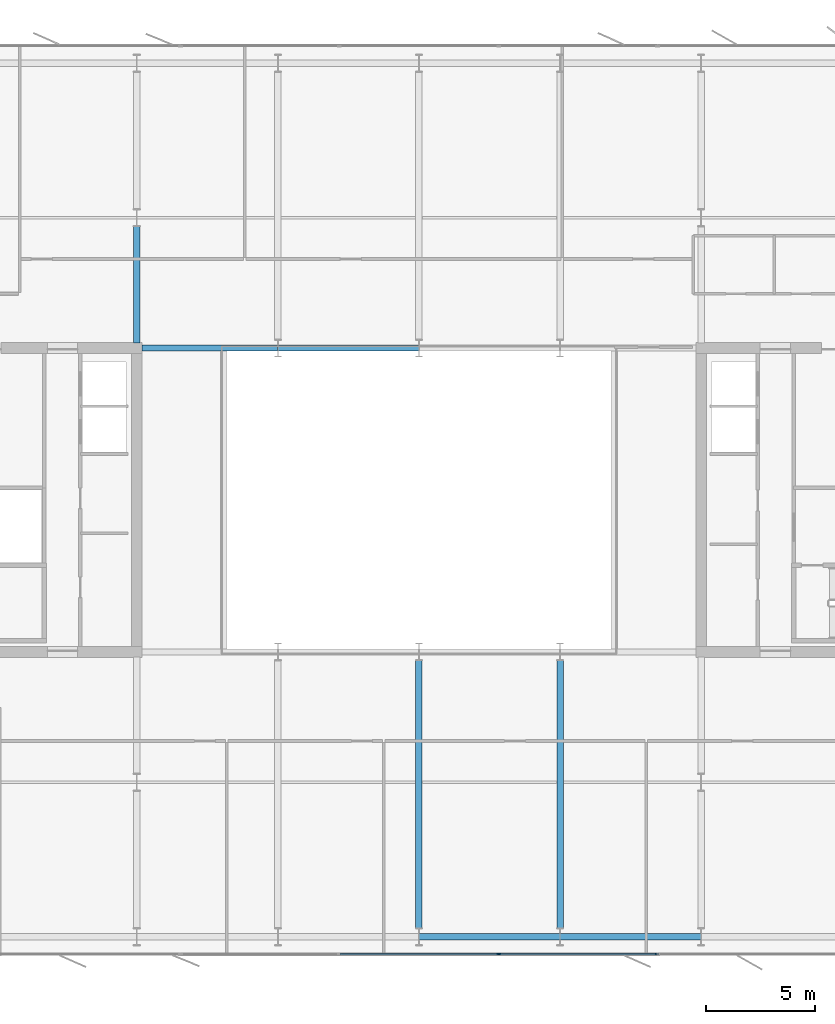
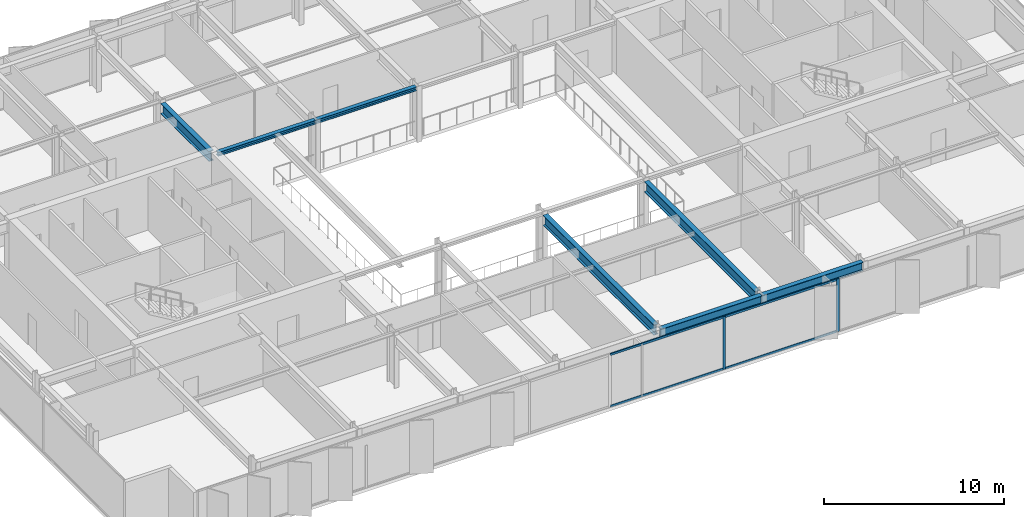
# One storey, part 6 of 23: 7 beams, 6 members, 1 element without a shape of its own.
"""IFC4 building model written with IfcOpenShell, lengths in metres."""

from ifc_helpers import new_model, si_unit, direction, frame, origin, origin_2d, place, context, subcontext, project, spatial, rectangle, i_section, extrude, material, layer, layer_set, material_profile, profile_set, type_object, element, aggregate, save


model = new_model("IFC4")

# Units and contexts
model_context = context("Model", 3, precision=1e-05, world=origin(), true_north=direction((0.0, 1.0)))
body_context = subcontext(model_context, "Body", "Model", "MODEL_VIEW")
ifc_project = project(units=[si_unit("LENGTHUNIT", "METRE"), si_unit("AREAUNIT", "SQUARE_METRE"), si_unit("VOLUMEUNIT", "CUBIC_METRE"), si_unit("PLANEANGLEUNIT", "RADIAN"), si_unit("MASSUNIT", "GRAM", prefix="KILO")], contexts=[model_context])

# Site, building, storey
site_placement = place(None, origin())
site = spatial("IfcSite", under=ifc_project, at=site_placement, CompositionType="ELEMENT")
building_placement = place(site_placement, origin())
building = spatial("IfcBuilding", under=site, at=building_placement, Name="Putna Gate Headquarters", CompositionType="ELEMENT")
storey_placement = place(building_placement, frame((0.0, 0.0, 206.199951171875)))
storey = spatial("IfcBuildingStorey", under=building, at=storey_placement, Name="L51", CompositionType="ELEMENT", Elevation=206.199951171875)

# Beams
ifc_material_1 = material(Name="Steel S355J2", Category="steel")
ifc_material_profile_1 = material_profile(ifc_material_1, i_section(OverallWidth=0.260009765625, OverallDepth=0.260009765625, WebThickness=0.010009765625, FlangeThickness=0.017578125, at=origin_2d()), Name="Steel S355J2")
ifc_profile_set_1 = profile_set([ifc_material_profile_1], Name="Steel S355J2")
beam_type_1 = type_object("IfcBeamType", Name="BM-ATRIUM-HEB260", PredefinedType="BEAM", material=ifc_profile_set_1)
beam_1_placement = place(storey_placement, frame((26.235107421875, 33.0, 3.449951171875), z_axis=(1.0, 0.0, 0.0), x_axis=(0.0, 1.0, 0.0)))
element("IfcBeam", 1, at=beam_1_placement, inside=storey, type_object=beam_type_1, Name="L51 Atrium Edge Beam AN1", PredefinedType="BEAM", context=body_context, shape_type="SweptSolid", body=[
    extrude(i_section(OverallWidth=0.260009765625, OverallDepth=0.260009765625, WebThickness=0.010009765625, FlangeThickness=0.017578125, at=origin_2d()), origin(), (0.0, 0.0, 1.0), 6.2587890625),
])
beam_2_placement = place(storey_placement, frame((32.506103515625, 33.0, 3.449951171875), z_axis=(1.0, 0.0, 0.0), x_axis=(0.0, 1.0, 0.0)))
element("IfcBeam", 2, at=beam_2_placement, inside=storey, type_object=beam_type_1, Name="L51 Atrium Edge Beam AN2", PredefinedType="BEAM", context=body_context, shape_type="SweptSolid", body=[
    extrude(i_section(OverallWidth=0.260009765625, OverallDepth=0.260009765625, WebThickness=0.010009765625, FlangeThickness=0.017578125, at=origin_2d()), origin(), (0.0, 0.0, 1.0), 6.48779296875),
])
ifc_material_profile_2 = material_profile(ifc_material_1, i_section(OverallWidth=0.300048828125, OverallDepth=0.699951171875, WebThickness=0.01708984375, FlangeThickness=0.031982421875, at=origin_2d()), Name="Steel S355J2")
ifc_profile_set_2 = profile_set([ifc_material_profile_2], Name="Steel S355J2")
beam_type_2 = type_object("IfcBeamType", Name="BM-GIRD-B-HEB700", PredefinedType="USERDEFINED", material=ifc_profile_set_2)
beam_3_placement = place(storey_placement, frame((26.0, 33.235107421875, 3.22998046875), z_axis=(0.0, 1.0, 0.0), x_axis=(-1.0, 0.0, 0.0)))
element("IfcBeam", 3, at=beam_3_placement, inside=storey, type_object=beam_type_2, Name="L51 North Primary Girder X26-1", ObjectType="GIRDER", PredefinedType="USERDEFINED", context=body_context, shape_type="SweptSolid", body=[
    extrude(i_section(OverallWidth=0.300048828125, OverallDepth=0.699951171875, WebThickness=0.01708984375, FlangeThickness=0.031982421875, at=origin_2d()), origin(), (0.0, 0.0, 1.0), 5.369873046875),
])
for number, where, z_axis, x_axis, name in (
    (4, (39.0, 6.27490234375, 3.22998046875), (0.0, 1.0, 0.0), (-1.0, 0.0, 0.0), "L51 South Primary Girder X39"),
    (5, (45.5, 6.27490234375, 3.22998046875), (0.0, 1.0, 0.0), (-1.0, 0.0, 0.0), "L51 South Primary Girder X45"),
):
    element("IfcBeam", number, at=place(storey_placement, frame(where, z_axis=z_axis, x_axis=x_axis)), inside=storey, type_object=beam_type_2, Name=name, ObjectType="GIRDER", PredefinedType="USERDEFINED", context=body_context, shape_type="SweptSolid", body=[
        extrude(i_section(OverallWidth=0.300048828125, OverallDepth=0.699951171875, WebThickness=0.01708984375, FlangeThickness=0.031982421875, at=origin_2d()), origin(), (0.0, 0.0, 1.0), 12.330078125),
    ])
ifc_material_profile_3 = material_profile(ifc_material_1, i_section(OverallWidth=0.300048828125, OverallDepth=0.590087890625, WebThickness=0.012939453125, FlangeThickness=0.02490234375, at=origin_2d()), Name="Steel S355J2")
ifc_profile_set_3 = profile_set([ifc_material_profile_3], Name="Steel S355J2")
beam_type_3 = type_object("IfcBeamType", Name="BM-SPAN-Z4-HEA600", PredefinedType="SPANDREL", material=ifc_profile_set_3)
for number, where, z_axis, x_axis, name in (
    (6, (39.006103515625, 5.8798828125, 3.28515625), (1.0, 0.0, 0.0), (0.0, 1.0, 0.0), "L51 S Perimeter Spandrel 5"),
    (7, (45.506103515625, 5.8798828125, 3.28515625), (1.0, 0.0, 0.0), (0.0, 1.0, 0.0), "L51 S Perimeter Spandrel 6"),
):
    element("IfcBeam", number, at=place(storey_placement, frame(where, z_axis=z_axis, x_axis=x_axis)), inside=storey, type_object=beam_type_3, Name=name, PredefinedType="SPANDREL", context=body_context, shape_type="SweptSolid", body=[
        extrude(i_section(OverallWidth=0.300048828125, OverallDepth=0.590087890625, WebThickness=0.012939453125, FlangeThickness=0.02490234375, at=origin_2d()), origin(), (0.0, 0.0, 1.0), 6.48779296875),
    ])

# Curtain wall, members
ifc_material_2 = material(Name="Anodised bronze aluminium curtain wall", Category="aluminium")
ifc_layer = layer(ifc_material_2, 0.179931640625)
ifc_layer_set = layer_set([ifc_layer], Name="Anodised bronze aluminium curtain wall")
curtain_wall_type = type_object("IfcCurtainWallType", Name="CW-SYS-ATR", PredefinedType="USERDEFINED", material=ifc_layer_set)
curtain_wall_placement = place(storey_placement, origin())
curtain_wall = element("IfcCurtainWall", 8, at=curtain_wall_placement, inside=storey, type_object=curtain_wall_type, Name="L51 South Atrium Clear Glazing", ObjectType="ATRIUM GLAZING", PredefinedType="USERDEFINED")
ifc_material_3 = material(Name="Anodised bronze aluminium EN AW-6060", Category="aluminium")
ifc_material_profile_4 = material_profile(ifc_material_3, rectangle(XDim=0.070068359375, YDim=0.179931640625, at=origin_2d()), Name="Anodised bronze aluminium EN AW-6060")
ifc_profile_set_4 = profile_set([ifc_material_profile_4], Name="Anodised bronze aluminium EN AW-6060")
member_type_1 = type_object("IfcMemberType", Name="MULL-CWM-AT", PredefinedType="MULLION", material=ifc_profile_set_4)
member_1_placement = place(storey_placement, frame((42.666748046875, 5.080078125, 0.0), z_axis=(0.0, 0.0, 1.0), x_axis=(0.0, 1.0, 0.0)))
member_1 = element("IfcMember", 9, at=member_1_placement, type_object=member_type_1, Name="CWS-AT mullion 3", PredefinedType="MULLION", context=body_context, shape_type="SweptSolid", body=[
    extrude(rectangle(XDim=0.070068359375, YDim=0.179931640625, at=origin_2d()), origin(), (0.0, 0.0, 1.0), 3.580078125),
])
member_2_placement = place(storey_placement, frame((49.965087890625, 5.080078125, 0.0), z_axis=(0.0, 0.0, 1.0), x_axis=(0.0, 1.0, 0.0)))
member_2 = element("IfcMember", 10, at=member_2_placement, type_object=member_type_1, Name="CWS-AT mullion 4", PredefinedType="MULLION", context=body_context, shape_type="SweptSolid", body=[
    extrude(rectangle(XDim=0.070068359375, YDim=0.179931640625, at=origin_2d()), origin(), (0.0, 0.0, 1.0), 3.580078125),
])
ifc_material_profile_5 = material_profile(ifc_material_3, rectangle(XDim=0.070068359375, YDim=0.139892578125, at=origin_2d()), Name="Anodised bronze aluminium EN AW-6060")
ifc_profile_set_5 = profile_set([ifc_material_profile_5], Name="Anodised bronze aluminium EN AW-6060")
member_type_2 = type_object("IfcMemberType", Name="TRAN-CWT-AT", PredefinedType="USERDEFINED", material=ifc_profile_set_5)
member_3_placement = place(storey_placement, frame((35.368408203125, 5.080078125, 0.03515625), z_axis=(1.0, 0.0, 0.0), x_axis=(0.0, 1.0, 0.0)))
member_3 = element("IfcMember", 11, at=member_3_placement, type_object=member_type_2, Name="CWS-AT transom 2.1", ObjectType="TRANSOM", PredefinedType="USERDEFINED", context=body_context, shape_type="SweptSolid", body=[
    extrude(rectangle(XDim=0.070068359375, YDim=0.139892578125, at=origin_2d()), origin(), (0.0, 0.0, 1.0), 7.26318359375),
])
member_4_placement = place(storey_placement, frame((35.368408203125, 5.080078125, 3.545166015625), z_axis=(1.0, 0.0, 0.0), x_axis=(0.0, 1.0, 0.0)))
member_4 = element("IfcMember", 12, at=member_4_placement, type_object=member_type_2, Name="CWS-AT transom 2.2", ObjectType="TRANSOM", PredefinedType="USERDEFINED", context=body_context, shape_type="SweptSolid", body=[
    extrude(rectangle(XDim=0.070068359375, YDim=0.139892578125, at=origin_2d()), origin(), (0.0, 0.0, 1.0), 7.26318359375),
])
member_5_placement = place(storey_placement, frame((42.70166015625, 5.080078125, 0.03515625), z_axis=(1.0, 0.0, 0.0), x_axis=(0.0, 1.0, 0.0)))
member_5 = element("IfcMember", 13, at=member_5_placement, type_object=member_type_2, Name="CWS-AT transom 3.1", ObjectType="TRANSOM", PredefinedType="USERDEFINED", context=body_context, shape_type="SweptSolid", body=[
    extrude(rectangle(XDim=0.070068359375, YDim=0.139892578125, at=origin_2d()), origin(), (0.0, 0.0, 1.0), 7.228271484375),
])
member_6_placement = place(storey_placement, frame((42.70166015625, 5.080078125, 3.545166015625), z_axis=(1.0, 0.0, 0.0), x_axis=(0.0, 1.0, 0.0)))
member_6 = element("IfcMember", 14, at=member_6_placement, type_object=member_type_2, Name="CWS-AT transom 3.2", ObjectType="TRANSOM", PredefinedType="USERDEFINED", context=body_context, shape_type="SweptSolid", body=[
    extrude(rectangle(XDim=0.070068359375, YDim=0.139892578125, at=origin_2d()), origin(), (0.0, 0.0, 1.0), 7.228271484375),
])
aggregate(curtain_wall, [member_1, member_2, member_3, member_4, member_5, member_6])

save(model, "model.ifc")
